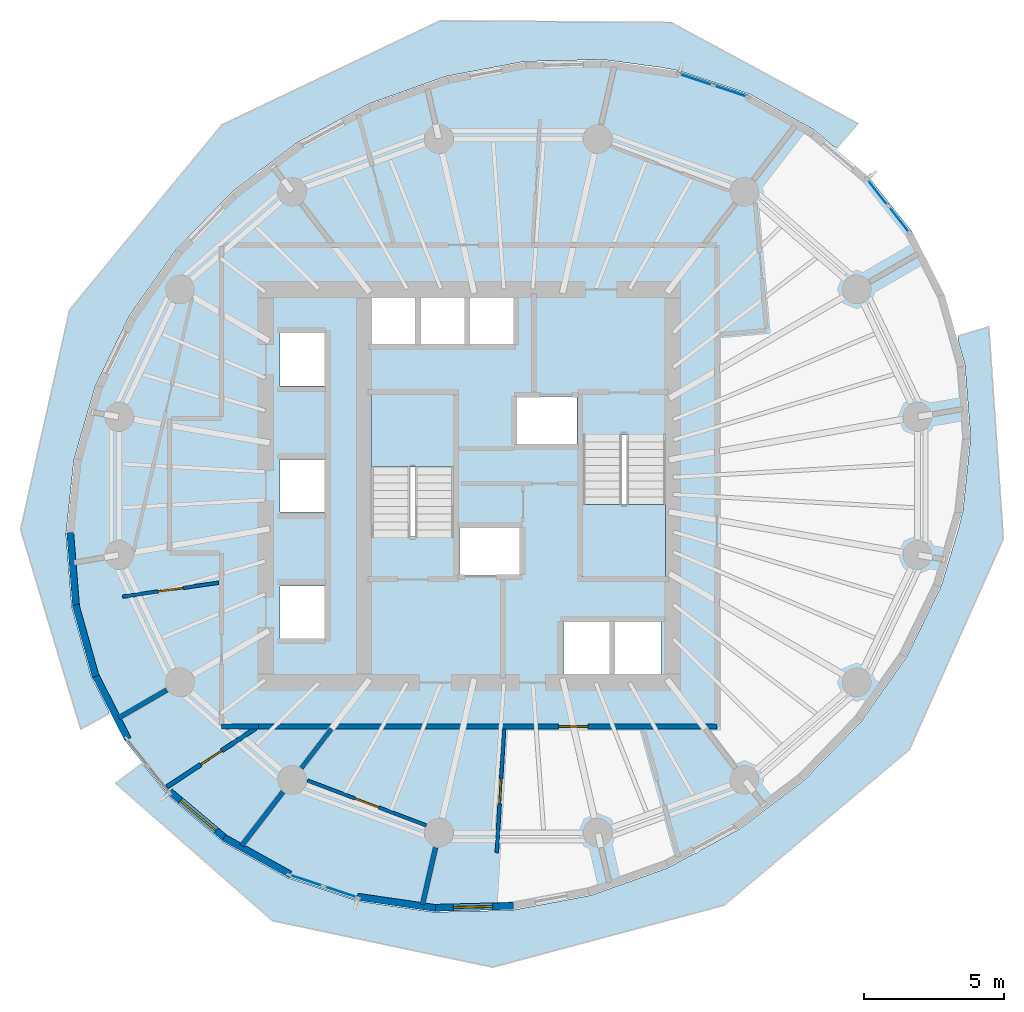
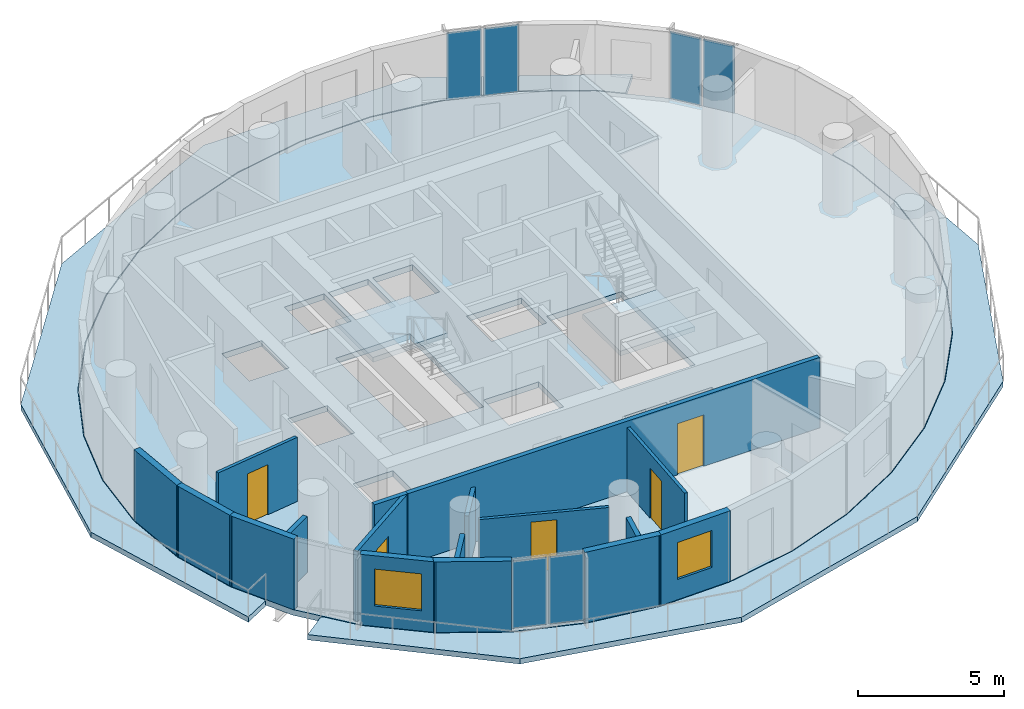
# One storey, part 4 of 12: 17 walls, 6 plates, 5 doors, 5 slabs, 2 windows, 7 openings, 5 elements without a shape of their own.
"""IFC4 building model written with IfcOpenShell, lengths in metres."""

from ifc_helpers import new_model, si_unit, direction, frame, frame_2d, origin, origin_2d, place, context, subcontext, project, spatial, polyline, rectangle, outline, extrude, material, layer, layer_set, type_object, element, fill, aggregate, save


model = new_model("IFC4")

# Units and contexts
model_context = context("Model", 3, precision=1e-05, world=origin(), true_north=direction((0.0, 1.0)))
body_context = subcontext(model_context, "Body", "Model", "MODEL_VIEW")
ifc_project = project(units=[si_unit("LENGTHUNIT", "METRE"), si_unit("AREAUNIT", "SQUARE_METRE"), si_unit("VOLUMEUNIT", "CUBIC_METRE"), si_unit("PLANEANGLEUNIT", "RADIAN"), si_unit("MASSUNIT", "GRAM", prefix="KILO")], contexts=[model_context])

# Site, building, storey
site_placement = place(None, origin())
site = spatial("IfcSite", under=ifc_project, at=site_placement, CompositionType="ELEMENT")
building_placement = place(site_placement, origin())
building = spatial("IfcBuilding", under=site, at=building_placement, Name="Veldorim Arch Residences", CompositionType="ELEMENT")
storey_placement = place(building_placement, frame((0.0, 0.0, 139.360107421875)))
storey = spatial("IfcBuildingStorey", under=building, at=storey_placement, Name="L41", CompositionType="ELEMENT", Elevation=139.360107421875)

# Slabs
ifc_material_1 = material(Name="Concrete C40/50", Category="concrete")
ifc_layer_1 = layer(ifc_material_1, 0.219970703125, Name="Planted Crescent Cantilever Balcony Slab 220")
ifc_layer_set_1 = layer_set([ifc_layer_1], Name="Concrete C40/50")
slab_type_1 = type_object("IfcSlabType", Name="Planted Crescent Cantilever Balcony Slab 220", PredefinedType="FLOOR", material=ifc_layer_set_1)
slab_1_placement = place(storey_placement, frame((0.0, 0.0, -0.22021484375)))
element("IfcSlab", 1, at=slab_1_placement, inside=storey, type_object=slab_type_1, Name="L41 planted crescent balcony slab A", PredefinedType="FLOOR", context=body_context, shape_type="SweptSolid", body=[
    extrude(outline(polyline([(43.224609375, 36.098388671875), (42.52392578125, 36.688720703125), (40.243896484375, 37.954345703125), (37.71337890625, 38.795654296875), (37.022216796875, 38.91650390625), (35.009765625, 39.1875), (32.21484375, 39.117919921875), (29.413330078125, 38.589111328125), (26.69091796875, 37.6171875), (24.12939453125, 36.231689453125), (22.8837890625, 35.289306640625), (22.747314453125, 35.2216796875), (22.661376953125, 35.12109375), (21.806884765625, 34.474609375), (19.794189453125, 32.3994140625), (18.152099609375, 30.069091796875), (16.9306640625, 27.55419921875), (16.166748046875, 24.93115234375), (15.884033203125, 22.279541015625), (16.09130859375, 19.68017578125), (16.78173828125, 17.2119140625), (17.385009765625, 16.02880859375), (17.418212890625, 15.88232421875), (16.408203125, 15.33251953125), (14.267333984375, 22.446533203125), (16.011962890625, 30.2744140625), (21.43603515625, 36.8623046875), (29.218505859375, 40.57470703125), (37.43896484375, 40.510498046875), (44.103271484375, 36.907958984375), (43.344482421875, 36.0439453125), (43.224609375, 36.098388671875)])), origin(), (0.0, 0.0, 1.0), 0.22021484375),
])
slab_2_placement = place(storey_placement, frame((0.0, 0.0, -0.22021484375)))
element("IfcSlab", 2, at=slab_2_placement, inside=storey, type_object=slab_type_1, Name="L41 planted crescent balcony slab B", PredefinedType="FLOOR", context=body_context, shape_type="SweptSolid", body=[
    extrude(outline(polyline([(18.689208984375, 14.001953125), (19.515869140625, 12.962646484375), (21.47607421875, 11.311279296875), (23.756103515625, 10.045654296875), (26.28662109375, 9.204345703125), (28.990234375, 8.8125), (31.78515625, 8.882080078125), (34.586669921875, 9.410888671875), (37.30908203125, 10.3828125), (38.25146484375, 10.892578125), (38.37890625, 10.928955078125), (38.4970703125, 11.025390625), (39.87060546875, 11.768310546875), (42.193115234375, 13.525390625), (44.205810546875, 15.6005859375), (45.847900390625, 17.930908203125), (47.0693359375, 20.44580078125), (47.656494140625, 22.3896484375), (47.833251953125, 23.06884765625), (48.115966796875, 25.720458984375), (47.90869140625, 28.31982421875), (47.662109375, 29.2021484375), (47.662109375, 29.333984375), (48.762939453125, 29.66650390625), (49.280029296875, 22.1083984375), (45.932373046875, 14.600341796875), (39.32861328125, 9.055908203125), (31.08544921875, 6.84912109375), (23.23828125, 8.505126953125), (17.65087890625, 13.4013671875), (18.569580078125, 14.0927734375), (18.689208984375, 14.001953125)])), origin(), (0.0, 0.0, 1.0), 0.22021484375),
])

# Stair, slab
ifc_material_2 = material(Name="Concrete C40/50", Category="concrete")
stair_type = type_object("IfcStairType", Name="Reinforced Concrete Dogleg Exit Staircase", PredefinedType="HALF_TURN_STAIR", material=ifc_material_2)
stair_1_placement = place(storey_placement, origin())
stair_1 = element("IfcStair", 3, at=stair_1_placement, inside=storey, type_object=stair_type, Name="L41 Exit Staircase ST-1", PredefinedType="HALF_TURN_STAIR")
ifc_material_3 = material(Name="Concrete C40/50", Category="concrete")
ifc_layer_2 = layer(ifc_material_3, 0.199951171875, Name="Reinforced Concrete Stair Landing 200")
ifc_layer_set_2 = layer_set([ifc_layer_2], Name="Concrete C40/50")
slab_type_2 = type_object("IfcSlabType", Name="Reinforced Concrete Stair Landing 200", PredefinedType="LANDING", material=ifc_layer_set_2)
slab_3_placement = place(storey_placement, frame((0.0, 0.0, 1.39990234375)))
slab_3 = element("IfcSlab", 4, at=slab_3_placement, type_object=slab_type_2, Name="ST-1 landing 1", PredefinedType="LANDING", context=body_context, shape_type="SweptSolid", body=[
    extrude(outline(polyline([(29.7099609375, 24.669921875), (29.7099609375, 27.25), (26.75, 27.25), (26.75, 24.669921875), (29.7099609375, 24.669921875)])), origin(), (0.0, 0.0, 1.0), 0.199951171875),
])
aggregate(stair_1, [slab_3])

stair_2_placement = place(storey_placement, origin())
stair_2 = element("IfcStair", 5, at=stair_2_placement, inside=storey, type_object=stair_type, Name="L41 Exit Staircase ST-2", PredefinedType="HALF_TURN_STAIR")
slab_4_placement = place(storey_placement, frame((0.0, 0.0, 1.39990234375)))
slab_4 = element("IfcSlab", 6, at=slab_4_placement, type_object=slab_type_2, Name="ST-2 landing 1", PredefinedType="LANDING", context=body_context, shape_type="SweptSolid", body=[
    extrude(outline(polyline([(34.2900390625, 23.330078125), (34.2900390625, 20.75), (37.25, 20.75), (37.25, 23.330078125), (34.2900390625, 23.330078125)])), origin(), (0.0, 0.0, 1.0), 0.199951171875),
])
aggregate(stair_2, [slab_4])

# Slab
ifc_material_4 = material(Name="Concrete C40/50", Category="concrete")
ifc_layer_3 = layer(ifc_material_4, 0.239990234375, Name="Typical Residential Floor Slab 240")
ifc_layer_set_3 = layer_set([ifc_layer_3], Name="Concrete C40/50")
slab_type_3 = type_object("IfcSlabType", Name="Typical Residential Floor Slab 240", PredefinedType="FLOOR", material=ifc_layer_set_3)
slab_5_placement = place(storey_placement, frame((0.0, 0.0, -0.239990234375)))
element("IfcSlab", 7, at=slab_5_placement, inside=storey, type_object=slab_type_3, Name="L41 tower structural floor slab", PredefinedType="FLOOR", context=body_context, shape_type="SweptSolid", body=[
    extrude(outline(polyline([(46.043701171875, 33.03662109375), (44.466064453125, 35.019775390625), (42.509521484375, 36.66796875), (40.233642578125, 37.931396484375), (37.707763671875, 38.771240234375), (35.00830078125, 39.16259765625), (32.217529296875, 39.093017578125), (29.419921875, 38.56494140625), (26.700927734375, 37.59423828125), (24.142822265625, 36.21044921875), (21.823486328125, 34.455810546875), (19.8134765625, 32.38330078125), (18.173583984375, 30.056396484375), (16.9541015625, 27.545166015625), (16.19140625, 24.92626953125), (15.9091796875, 22.279296875), (16.115966796875, 19.6845703125), (16.80517578125, 17.220947265625), (17.956298828125, 14.96337890625), (19.533935546875, 12.980224609375), (21.490478515625, 11.33203125), (23.766357421875, 10.068603515625), (26.292236328125, 9.228759765625), (28.99169921875, 8.83740234375), (31.782470703125, 8.906982421875), (34.580078125, 9.43505859375), (37.299072265625, 10.40576171875), (39.857177734375, 11.78955078125), (42.176513671875, 13.544189453125), (44.1865234375, 15.61669921875), (45.826416015625, 17.943603515625), (47.0458984375, 20.454833984375), (47.80859375, 23.07373046875), (48.0908203125, 25.720703125), (47.884033203125, 28.3154296875), (47.19482421875, 30.779052734375), (46.043701171875, 33.03662109375)]), holes=[polyline([(23.510009765625, 18.56005859375), (23.510009765625, 20.43994140625), (25.090087890625, 20.43994140625), (25.090087890625, 18.56005859375), (23.510009765625, 18.56005859375)]), polyline([(23.510009765625, 24.93994140625), (25.090087890625, 24.93994140625), (25.090087890625, 23.06005859375), (23.510009765625, 23.06005859375), (23.510009765625, 24.93994140625)]), polyline([(26.75, 27.25), (29.7099609375, 27.25), (29.7099609375, 22.195068359375), (26.75, 22.195068359375), (26.75, 27.25)]), polyline([(23.510009765625, 27.56005859375), (23.510009765625, 29.43994140625), (25.090087890625, 29.43994140625), (25.090087890625, 27.56005859375), (23.510009765625, 27.56005859375)]), polyline([(26.760009765625, 30.7900390625), (28.340087890625, 30.7900390625), (28.340087890625, 28.909912109375), (26.760009765625, 28.909912109375), (26.760009765625, 30.7900390625)]), polyline([(28.510009765625, 30.7900390625), (30.090087890625, 30.7900390625), (30.090087890625, 28.909912109375), (28.510009765625, 28.909912109375), (28.510009765625, 30.7900390625)]), polyline([(33.610107421875, 17.2099609375), (33.610107421875, 19.2900390625), (35.2900390625, 19.2900390625), (35.2900390625, 17.2099609375), (33.610107421875, 17.2099609375)]), polyline([(35.409912109375, 19.2900390625), (37.090087890625, 19.2900390625), (37.090087890625, 17.2099609375), (35.409912109375, 17.2099609375), (35.409912109375, 19.2900390625)]), polyline([(29.909912109375, 22.544921875), (32.090087890625, 22.544921875), (32.090087890625, 20.81494140625), (29.909912109375, 20.81494140625), (29.909912109375, 22.544921875)]), polyline([(34.2900390625, 20.75), (34.2900390625, 25.804931640625), (37.25, 25.804931640625), (37.25, 20.75), (34.2900390625, 20.75)]), polyline([(31.909912109375, 27.18505859375), (34.090087890625, 27.18505859375), (34.090087890625, 25.455078125), (31.909912109375, 25.455078125), (31.909912109375, 27.18505859375)]), polyline([(30.260009765625, 30.7900390625), (31.840087890625, 30.7900390625), (31.840087890625, 28.909912109375), (30.260009765625, 28.909912109375), (30.260009765625, 30.7900390625)])]), origin(), (0.0, 0.0, 1.0), 0.239990234375),
])

# Curtain wall, plates
ifc_material_5 = material(Name="Aluminium", Category="aluminium")
curtain_wall_type = type_object("IfcCurtainWallType", Name="Zone 3 High-Wind Unitised Curtain Wall", PredefinedType="NOTDEFINED", material=ifc_material_5)
curtain_wall_1_placement = place(storey_placement, origin())
curtain_wall_1 = element("IfcCurtainWall", 8, at=curtain_wall_1_placement, inside=storey, type_object=curtain_wall_type, Name="L41 unitised curtain wall bay 01", PredefinedType="NOTDEFINED")
ifc_material_6 = material(Name="Laminated Low-E Glass", Category="glass")
ifc_layer_4 = layer(ifc_material_6, 0.028076171875, Name="Zone 3 High-Wind Unitised Curtain Wall Glazing Panel 28")
ifc_layer_set_4 = layer_set([ifc_layer_4], Name="Laminated Low-E Glass")
plate_type = type_object("IfcPlateType", Name="Zone 3 High-Wind Unitised Curtain Wall Glazing Panel 28", PredefinedType="CURTAIN_PANEL", material=ifc_layer_set_4)
plate_1_placement = place(storey_placement, frame((44.801025390625, 34.454345703125, 0.06982421875), z_axis=(0.0, 0.0, 1.0), x_axis=(0.622580140716, -0.782556048079, 0.0)))
plate_1 = element("IfcPlate", 9, at=plate_1_placement, type_object=plate_type, Name="CW-Z3 panel 1.1", PredefinedType="CURTAIN_PANEL", context=body_context, shape_type="SweptSolid", body=[
    extrude(rectangle(XDim=1.162109375, YDim=0.028076171875, at=origin_2d()), origin(), (0.0, 0.0, 1.0), 2.820068359375),
])
plate_2_placement = place(storey_placement, frame((45.568115234375, 33.490234375, 0.06982421875), z_axis=(0.0, 0.0, 1.0), x_axis=(0.622580140716, -0.782556048079, 0.0)))
plate_2 = element("IfcPlate", 10, at=plate_2_placement, type_object=plate_type, Name="CW-Z3 panel 2.1", PredefinedType="CURTAIN_PANEL", context=body_context, shape_type="SweptSolid", body=[
    extrude(rectangle(XDim=1.162109375, YDim=0.028076171875, at=origin_2d()), origin(), (0.0, 0.0, 1.0), 2.820068359375),
])
aggregate(curtain_wall_1, [plate_1, plate_2])

curtain_wall_2_placement = place(storey_placement, origin())
curtain_wall_2 = element("IfcCurtainWall", 11, at=curtain_wall_2_placement, inside=storey, type_object=curtain_wall_type, Name="L41 unitised curtain wall bay 04", PredefinedType="NOTDEFINED")
plate_3_placement = place(storey_placement, frame((38.327392578125, 38.470458984375, 0.06982421875), z_axis=(0.0, 0.0, 1.0), x_axis=(0.948908451006, -0.315551503895, 0.0)))
plate_3 = element("IfcPlate", 12, at=plate_3_placement, type_object=plate_type, Name="CW-Z3 panel 1.1", PredefinedType="CURTAIN_PANEL", context=body_context, shape_type="SweptSolid", body=[
    extrude(rectangle(XDim=1.22607421875, YDim=0.028076171875, at=origin_2d()), origin(), (0.0, 0.0, 1.0), 2.820068359375),
])
plate_4_placement = place(storey_placement, frame((39.55712890625, 38.0615234375, 0.06982421875), z_axis=(0.0, 0.0, 1.0), x_axis=(0.948908451006, -0.315551503895, 0.0)))
plate_4 = element("IfcPlate", 13, at=plate_4_placement, type_object=plate_type, Name="CW-Z3 panel 2.1", PredefinedType="CURTAIN_PANEL", context=body_context, shape_type="SweptSolid", body=[
    extrude(rectangle(XDim=1.22607421875, YDim=0.028076171875, at=origin_2d()), origin(), (0.0, 0.0, 1.0), 2.820068359375),
])
aggregate(curtain_wall_2, [plate_3, plate_4])

curtain_wall_3_placement = place(storey_placement, origin())
curtain_wall_3 = element("IfcCurtainWall", 14, at=curtain_wall_3_placement, inside=storey, type_object=curtain_wall_type, Name="L41 unitised curtain wall bay 22", PredefinedType="NOTDEFINED")
plate_5_placement = place(storey_placement, frame((25.672607421875, 9.529541015625, 0.06982421875), z_axis=(0.0, 0.0, 1.0), x_axis=(-0.948908451006, 0.315551503895, 0.0)))
plate_5 = element("IfcPlate", 15, at=plate_5_placement, type_object=plate_type, Name="CW-Z3 panel 1.1", PredefinedType="CURTAIN_PANEL", context=body_context, shape_type="SweptSolid", body=[
    extrude(rectangle(XDim=1.22607421875, YDim=0.028076171875, at=origin_2d()), origin(), (0.0, 0.0, 1.0), 2.820068359375),
])
plate_6_placement = place(storey_placement, frame((24.44287109375, 9.9384765625, 0.06982421875), z_axis=(0.0, 0.0, 1.0), x_axis=(-0.948908451006, 0.315551503895, 0.0)))
plate_6 = element("IfcPlate", 16, at=plate_6_placement, type_object=plate_type, Name="CW-Z3 panel 2.1", PredefinedType="CURTAIN_PANEL", context=body_context, shape_type="SweptSolid", body=[
    extrude(rectangle(XDim=1.22607421875, YDim=0.028076171875, at=origin_2d()), origin(), (0.0, 0.0, 1.0), 2.820068359375),
])
aggregate(curtain_wall_3, [plate_5, plate_6])

# Wall, opening, door
ifc_material_7 = material(Name="Acoustic Gypsum Board", Category="gypsum")
ifc_layer_5 = layer(ifc_material_7, 0.125, Name="Acoustic Stud Room Partition Wall 125")
ifc_layer_set_5 = layer_set([ifc_layer_5], Name="Acoustic Gypsum Board")
wall_type_1 = type_object("IfcWallType", Name="Acoustic Stud Room Partition Wall 125", PredefinedType="PARTITIONING", material=ifc_layer_set_5)
wall_1_placement = place(storey_placement, frame((31.23095703125, 10.92724609375, 0.0), z_axis=(0.0, 0.0, 1.0), x_axis=(0.058751291398, 0.998272651012, 0.0)))
wall_1 = element("IfcWall", 17, at=wall_1_placement, inside=storey, type_object=wall_type_1, Name="L41 interior wall WL-RES-L41-012", PredefinedType="PARTITIONING", context=body_context, shape_type="SweptSolid", body=[
    extrude(rectangle(XDim=4.400634765625, YDim=0.125, at=frame_2d((2.2001953125, 0.0))), origin(), (0.0, 0.0, 1.0), 2.69189453125),
])
opening_1_placement = place(wall_1_placement, frame((1.750244140625, 0.0, 0.0)))
opening_1 = element("IfcOpeningElement", 18, at=opening_1_placement, cuts=wall_1, Name="Opening DR-INT", PredefinedType="OPENING", context=body_context, shape_type="SweptSolid", body=[
    extrude(rectangle(XDim=0.89990234375, YDim=2.10009765625, at=frame_2d((0.449951171875, 1.050048828125))), frame((0.0, 0.072509765625, 0.0), z_axis=(0.0, -1.0, 0.0), x_axis=(1.0, 0.0, 0.0)), (0.0, 0.0, 1.0), 0.14501953125),
])
ifc_material_8 = material(Name="Engineered Timber", Category="wood")
door_type_1 = type_object("IfcDoorType", Name="Apartment Internal Room Timber Door 900x2100", OperationType="SINGLE_SWING_LEFT", PredefinedType="DOOR", material=ifc_material_8)
door_1_placement = place(opening_1_placement, origin())
door_1 = element("IfcDoor", 19, at=door_1_placement, inside=storey, type_object=door_type_1, Name="L41 interior door DR-RES-L41-003", OperationType="SINGLE_SWING_LEFT", OverallHeight=2.10009765625, OverallWidth=0.89990234375, PredefinedType="DOOR", context=body_context, shape_type="SweptSolid", body=[
    extrude(rectangle(XDim=0.89990234375, YDim=2.10009765625, at=frame_2d((0.449951171875, 1.050048828125))), frame((0.0, 0.02490234375, 0.0), z_axis=(0.0, -1.0, 0.0), x_axis=(1.0, 0.0, 0.0)), (0.0, 0.0, 1.0), 0.050048828125),
])
fill(opening_1, door_1)

wall_2_placement = place(storey_placement, frame((28.7216796875, 11.89697265625, 0.0), z_axis=(0.0, 0.0, 1.0), x_axis=(-0.935309901838, 0.353829602385, 0.0)))
wall_2 = element("IfcWall", 20, at=wall_2_placement, inside=storey, type_object=wall_type_1, Name="L41 interior wall WL-RES-L41-014", PredefinedType="PARTITIONING", context=body_context, shape_type="SweptSolid", body=[
    extrude(rectangle(XDim=4.525634765625, YDim=0.125, at=frame_2d((2.2626953125, 0.0))), origin(), (0.0, 0.0, 1.0), 2.4111328125),
])
opening_2_placement = place(wall_2_placement, frame((1.81298828125, 0.0, 0.0)))
opening_2 = element("IfcOpeningElement", 21, at=opening_2_placement, cuts=wall_2, Name="Opening DR-INT", PredefinedType="OPENING", context=body_context, shape_type="SweptSolid", body=[
    extrude(rectangle(XDim=0.89990234375, YDim=2.10009765625, at=frame_2d((0.449951171875, 1.050048828125))), frame((0.0, 0.072509765625, 0.0), z_axis=(0.0, -1.0, 0.0), x_axis=(1.0, 0.0, 0.0)), (0.0, 0.0, 1.0), 0.14501953125),
])
door_2_placement = place(opening_2_placement, origin())
door_2 = element("IfcDoor", 22, at=door_2_placement, inside=storey, type_object=door_type_1, Name="L41 interior door DR-RES-L41-004", OperationType="SINGLE_SWING_RIGHT", OverallHeight=2.10009765625, OverallWidth=0.89990234375, PredefinedType="DOOR", context=body_context, shape_type="SweptSolid", body=[
    extrude(rectangle(XDim=0.89990234375, YDim=2.10009765625, at=frame_2d((0.449951171875, 1.050048828125))), frame((0.0, 0.02490234375, 0.0), z_axis=(0.0, -1.0, 0.0), x_axis=(1.0, 0.0, 0.0)), (0.0, 0.0, 1.0), 0.050048828125),
])
fill(opening_2, door_2)

wall_3_placement = place(storey_placement, frame((17.8994140625, 20.0517578125, 0.0), z_axis=(0.0, 0.0, 1.0), x_axis=(0.989601977359, 0.143832980941, 0.0)))
wall_3 = element("IfcWall", 23, at=wall_3_placement, inside=storey, type_object=wall_type_1, Name="L41 interior wall WL-RES-L41-024", PredefinedType="PARTITIONING", context=body_context, shape_type="SweptSolid", body=[
    extrude(rectangle(XDim=3.45751953125, YDim=0.125, at=frame_2d((1.728759765625, 0.0))), origin(), (0.0, 0.0, 1.0), 2.69189453125),
])
opening_3_placement = place(wall_3_placement, frame((1.27880859375, 0.0, 0.0)))
opening_3 = element("IfcOpeningElement", 24, at=opening_3_placement, cuts=wall_3, Name="Opening DR-INT", PredefinedType="OPENING", context=body_context, shape_type="SweptSolid", body=[
    extrude(rectangle(XDim=0.89990234375, YDim=2.10009765625, at=frame_2d((0.449951171875, 1.050048828125))), frame((0.0, 0.072509765625, 0.0), z_axis=(0.0, -1.0, 0.0), x_axis=(1.0, 0.0, 0.0)), (0.0, 0.0, 1.0), 0.14501953125),
])
door_3_placement = place(opening_3_placement, origin())
door_3 = element("IfcDoor", 25, at=door_3_placement, inside=storey, type_object=door_type_1, Name="L41 interior door DR-RES-L41-013", OperationType="SINGLE_SWING_LEFT", OverallHeight=2.10009765625, OverallWidth=0.89990234375, PredefinedType="DOOR", context=body_context, shape_type="SweptSolid", body=[
    extrude(rectangle(XDim=0.89990234375, YDim=2.10009765625, at=frame_2d((0.449951171875, 1.050048828125))), frame((0.0, 0.02490234375, 0.0), z_axis=(0.0, -1.0, 0.0), x_axis=(1.0, 0.0, 0.0)), (0.0, 0.0, 1.0), 0.050048828125),
])
fill(opening_3, door_3)

# Walls
ifc_material_9 = material(Name="Lightweight Masonry Block & Gypsum", Category="masonry")
ifc_layer_6 = layer(ifc_material_9, 0.179931640625, Name="Compartment & Corridor Fire-Rated Party Wall 180")
ifc_layer_set_6 = layer_set([ifc_layer_6], Name="Lightweight Masonry Block & Gypsum")
wall_type_2 = type_object("IfcWallType", Name="Compartment & Corridor Fire-Rated Party Wall 180", PredefinedType="PARTITIONING", material=ifc_layer_set_6)
wall_4_placement = place(storey_placement, frame((19.472412109375, 16.72607421875, 0.0), z_axis=(0.0, 0.0, 1.0), x_axis=(-0.864844369658, -0.502040054448, 0.0)))
element("IfcWall", 26, at=wall_4_placement, inside=storey, type_object=wall_type_2, Name="L41 interior wall WL-PIER-L41-10", PredefinedType="PARTITIONING", context=body_context, shape_type="SweptSolid", body=[
    extrude(rectangle(XDim=1.974365234375, YDim=0.179931640625, at=frame_2d((0.9873046875, 0.0))), origin(), (0.0, 0.0, 1.0), 2.335693359375),
])
wall_5_placement = place(storey_placement, frame((23.612060546875, 13.091552734375, 0.0), z_axis=(0.0, 0.0, 1.0), x_axis=(-0.609549509747, -0.79274800231, 0.0)))
element("IfcWall", 27, at=wall_5_placement, inside=storey, type_object=wall_type_2, Name="L41 interior wall WL-PIER-L41-11", PredefinedType="PARTITIONING", context=body_context, shape_type="SweptSolid", body=[
    extrude(rectangle(XDim=2.414794921875, YDim=0.179931640625, at=frame_2d((1.20751953125, 0.0))), origin(), (0.0, 0.0, 1.0), 2.335693359375),
])
wall_6_placement = place(storey_placement, frame((29.049560546875, 11.11083984375, 0.0), z_axis=(0.0, 0.0, 1.0), x_axis=(-0.223063251486, -0.974803973031, 0.0)))
element("IfcWall", 28, at=wall_6_placement, inside=storey, type_object=wall_type_2, Name="L41 interior wall WL-PIER-L41-12", PredefinedType="PARTITIONING", context=body_context, shape_type="SweptSolid", body=[
    extrude(rectangle(XDim=2.0849609375, YDim=0.179931640625, at=frame_2d((1.04248046875, 0.0))), origin(), (0.0, 0.0, 1.0), 2.335693359375),
])

# Wall, opening, door
wall_7_placement = place(storey_placement, frame((39.080078125, 15.419921875, 0.0), z_axis=(0.0, 0.0, 1.0), x_axis=(-1.0, 0.0, 0.0)))
wall_7 = element("IfcWall", 29, at=wall_7_placement, inside=storey, type_object=wall_type_2, Name="L41 interior wall WL-RES-L41-001", PredefinedType="PARTITIONING", context=body_context, shape_type="SweptSolid", body=[
    extrude(rectangle(XDim=16.39013671875, YDim=0.179931640625, at=frame_2d((8.195068359375, 0.0))), origin(), (0.0, 0.0, 1.0), 2.954833984375),
])
opening_4_placement = place(wall_7_placement, frame((4.5927734375, 0.0, 0.0)))
opening_4 = element("IfcOpeningElement", 30, at=opening_4_placement, cuts=wall_7, Name="Opening DR-FLT", PredefinedType="OPENING", context=body_context, shape_type="SweptSolid", body=[
    extrude(rectangle(XDim=1.050048828125, YDim=2.14990234375, at=frame_2d((0.52490234375, 1.074951171875))), frame((0.0, 0.099853515625, 0.0), z_axis=(0.0, -1.0, 0.0), x_axis=(1.0, 0.0, 0.0)), (0.0, 0.0, 1.0), 0.199951171875),
])
ifc_material_10 = material(Name="Fire-Rated Timber", Category="wood")
door_type_2 = type_object("IfcDoorType", Name="Apartment Entrance Solid-Core Fire Door 1050x2150", OperationType="SINGLE_SWING_LEFT", PredefinedType="DOOR", material=ifc_material_10)
door_4_placement = place(opening_4_placement, origin())
door_4 = element("IfcDoor", 31, at=door_4_placement, inside=storey, type_object=door_type_2, Name="L41 interior door DR-RES-L41-001", OperationType="SINGLE_SWING_LEFT", OverallHeight=2.14990234375, OverallWidth=1.050048828125, PredefinedType="DOOR", context=body_context, shape_type="SweptSolid", body=[
    extrude(rectangle(XDim=1.050048828125, YDim=2.14990234375, at=frame_2d((0.52490234375, 1.074951171875))), frame((0.0, 0.02490234375, 0.0), z_axis=(0.0, -1.0, 0.0), x_axis=(1.0, 0.0, 0.0)), (0.0, 0.0, 1.0), 0.050048828125),
])
fill(opening_4, door_4)

# Walls
wall_8_placement = place(storey_placement, frame((22.74609375, 15.419921875, 0.0), z_axis=(0.0, 0.0, 1.0), x_axis=(-1.0, 0.0, 0.0)))
element("IfcWall", 32, at=wall_8_placement, inside=storey, type_object=wall_type_2, Name="L41 interior wall WL-RES-L41-005", PredefinedType="PARTITIONING", context=body_context, shape_type="SweptSolid", body=[
    extrude(rectangle(XDim=1.326171875, YDim=0.179931640625, at=frame_2d((0.6630859375, 0.0))), origin(), (0.0, 0.0, 1.0), 2.954833984375),
])
ifc_material_11 = material(Name="Precast concrete C40/50", Category="concrete")
ifc_layer_7 = layer(ifc_material_11, 0.25, Name="Tower Terracotta Spandrel & Pier Wall 250")
ifc_layer_set_7 = layer_set([ifc_layer_7], Name="Precast concrete C40/50")
wall_type_3 = type_object("IfcWallType", Name="Tower Terracotta Spandrel & Pier Wall 250", PredefinedType="SOLIDWALL", material=ifc_layer_set_7)
wall_9_placement = place(storey_placement, frame((16.244140625, 19.649658203125, 0.0), z_axis=(0.0, 0.0, 1.0), x_axis=(-0.079420906371, 0.996841170714, 0.0)))
element("IfcWall", 33, at=wall_9_placement, inside=storey, type_object=wall_type_3, Name="L41 terracotta facade wall 16", PredefinedType="SOLIDWALL", context=body_context, shape_type="SweptSolid", body=[
    extrude(rectangle(XDim=2.69287109375, YDim=0.25, at=frame_2d((1.346435546875, 0.0))), origin(), (0.0, 0.0, 1.0), 2.9599609375),
])
wall_10_placement = place(storey_placement, frame((16.937744140625, 17.211181640625, 0.0), z_axis=(0.0, 0.0, 1.0), x_axis=(-0.269469206067, 0.963009006698, 0.0)))
element("IfcWall", 34, at=wall_10_placement, inside=storey, type_object=wall_type_3, Name="L41 terracotta facade wall 17", PredefinedType="SOLIDWALL", context=body_context, shape_type="SweptSolid", body=[
    extrude(rectangle(XDim=2.648193359375, YDim=0.25, at=frame_2d((1.32421875, 0.0))), origin(), (0.0, 0.0, 1.0), 2.9599609375),
])
wall_11_placement = place(storey_placement, frame((18.087890625, 14.97998046875, 0.0), z_axis=(0.0, 0.0, 1.0), x_axis=(-0.454196134835, 0.890901717981, 0.0)))
element("IfcWall", 35, at=wall_11_placement, inside=storey, type_object=wall_type_3, Name="L41 terracotta facade wall 18", PredefinedType="SOLIDWALL", context=body_context, shape_type="SweptSolid", body=[
    extrude(rectangle(XDim=2.624267578125, YDim=0.25, at=frame_2d((1.31201171875, 0.0))), origin(), (0.0, 0.0, 1.0), 2.9599609375),
])

# Wall, opening, window
wall_12_placement = place(storey_placement, frame((21.60546875, 11.398681640625, 0.0), z_axis=(0.0, 0.0, 1.0), x_axis=(-0.764825125467, 0.644237943197, 0.0)))
wall_12 = element("IfcWall", 36, at=wall_12_placement, inside=storey, type_object=wall_type_3, Name="L41 terracotta facade wall 20", PredefinedType="SOLIDWALL", context=body_context, shape_type="SweptSolid", body=[
    extrude(rectangle(XDim=2.648193359375, YDim=0.25, at=frame_2d((1.32421875, 0.0))), origin(), (0.0, 0.0, 1.0), 2.9599609375),
])
opening_5_placement = place(wall_12_placement, frame((0.4990234375, 0.0, 0.85009765625)))
opening_5 = element("IfcOpeningElement", 37, at=opening_5_placement, cuts=wall_12, Name="Opening WN-03", PredefinedType="OPENING", context=body_context, shape_type="SweptSolid", body=[
    extrude(rectangle(XDim=1.64990234375, YDim=1.550048828125, at=frame_2d((0.824951171875, 0.77490234375))), frame((0.0, 0.135009765625, 0.0), z_axis=(0.0, -1.0, 0.0), x_axis=(1.0, 0.0, 0.0)), (0.0, 0.0, 1.0), 0.27001953125),
])
ifc_material_12 = material(Name="Laminated Low-E Glass", Category="glass")
window_type_1 = type_object("IfcWindowType", Name="Residential Wide Window 1650x1550", PartitioningType="SINGLE_PANEL", PredefinedType="WINDOW", material=ifc_material_12)
window_1_placement = place(opening_5_placement, origin())
window_1 = element("IfcWindow", 38, at=window_1_placement, inside=storey, type_object=window_type_1, Name="L41 solar-control facade window 20", OverallHeight=1.550048828125, OverallWidth=1.64990234375, PartitioningType="SINGLE_PANEL", PredefinedType="WINDOW", context=body_context, shape_type="SweptSolid", body=[
    extrude(rectangle(XDim=1.64990234375, YDim=1.550048828125, at=frame_2d((0.824951171875, 0.77490234375))), frame((0.0, 0.030029296875, 0.0), z_axis=(0.0, -1.0, 0.0), x_axis=(1.0, 0.0, 0.0)), (0.0, 0.0, 1.0), 0.06005859375),
])
fill(opening_5, window_1)

# Walls
wall_13_placement = place(storey_placement, frame((23.8662109375, 10.15625, 0.0), z_axis=(0.0, 0.0, 1.0), x_axis=(-0.874341102682, 0.485311895755, 0.0)))
element("IfcWall", 39, at=wall_13_placement, inside=storey, type_object=wall_type_3, Name="L41 terracotta facade wall 21", PredefinedType="SOLIDWALL", context=body_context, shape_type="SweptSolid", body=[
    extrude(rectangle(XDim=2.69287109375, YDim=0.25, at=frame_2d((1.346435546875, 0.0))), origin(), (0.0, 0.0, 1.0), 2.9599609375),
])
wall_14_placement = place(storey_placement, frame((29.05419921875, 8.954833984375, 0.0), z_axis=(0.0, 0.0, 1.0), x_axis=(-0.98966505468, 0.143398324768, 0.0)))
element("IfcWall", 40, at=wall_14_placement, inside=storey, type_object=wall_type_3, Name="L41 terracotta facade wall 23", PredefinedType="SOLIDWALL", context=body_context, shape_type="SweptSolid", body=[
    extrude(rectangle(XDim=2.817626953125, YDim=0.25, at=frame_2d((1.40869140625, 0.0))), origin(), (0.0, 0.0, 1.0), 2.9599609375),
])

# Wall, opening, window
wall_15_placement = place(storey_placement, frame((31.824462890625, 9.033203125, 0.0), z_axis=(0.0, 0.0, 1.0), x_axis=(-0.999687646408, -0.02499219116, 0.0)))
wall_15 = element("IfcWall", 41, at=wall_15_placement, inside=storey, type_object=wall_type_3, Name="L41 terracotta facade wall 24", PredefinedType="SOLIDWALL", context=body_context, shape_type="SweptSolid", body=[
    extrude(rectangle(XDim=2.8818359375, YDim=0.25, at=frame_2d((1.44091796875, 0.0))), origin(), (0.0, 0.0, 1.0), 2.9599609375),
])
opening_6_placement = place(wall_15_placement, frame((0.740966796875, 0.0, 0.85009765625)))
opening_6 = element("IfcOpeningElement", 42, at=opening_6_placement, cuts=wall_15, Name="Opening WN-02", PredefinedType="OPENING", context=body_context, shape_type="SweptSolid", body=[
    extrude(rectangle(XDim=1.39990234375, YDim=1.550048828125, at=frame_2d((0.699951171875, 0.77490234375))), frame((0.0, 0.135009765625, 0.0), z_axis=(0.0, -1.0, 0.0), x_axis=(1.0, 0.0, 0.0)), (0.0, 0.0, 1.0), 0.27001953125),
])
ifc_material_13 = material(Name="Laminated Low-E Glass", Category="glass")
window_type_2 = type_object("IfcWindowType", Name="Residential Casement Window 1400x1550", PartitioningType="SINGLE_PANEL", PredefinedType="WINDOW", material=ifc_material_13)
window_2_placement = place(opening_6_placement, origin())
window_2 = element("IfcWindow", 43, at=window_2_placement, inside=storey, type_object=window_type_2, Name="L41 solar-control facade window 24", OverallHeight=1.550048828125, OverallWidth=1.39990234375, PartitioningType="SINGLE_PANEL", PredefinedType="WINDOW", context=body_context, shape_type="SweptSolid", body=[
    extrude(rectangle(XDim=1.39990234375, YDim=1.550048828125, at=frame_2d((0.699951171875, 0.77490234375))), frame((0.0, 0.030029296875, 0.0), z_axis=(0.0, -1.0, 0.0), x_axis=(1.0, 0.0, 0.0)), (0.0, 0.0, 1.0), 0.06005859375),
])
fill(opening_6, window_2)

# Wall
ifc_material_14 = material(Name="Moisture-Resistant Gypsum & Stud", Category="gypsum")
ifc_layer_8 = layer(ifc_material_14, 0.159912109375, Name="Wet-Area Moisture-Resistant Plumbing Wall 160")
ifc_layer_set_8 = layer_set([ifc_layer_8], Name="Moisture-Resistant Gypsum & Stud")
wall_type_4 = type_object("IfcWallType", Name="Wet-Area Moisture-Resistant Plumbing Wall 160", PredefinedType="PLUMBINGWALL", material=ifc_layer_set_8)
wall_16_placement = place(storey_placement, frame((24.267822265625, 13.9443359375, 0.0), z_axis=(0.0, 0.0, 1.0), x_axis=(0.609536601946, 0.792757927042, 0.0)))
element("IfcWall", 44, at=wall_16_placement, inside=storey, type_object=wall_type_4, Name="L41 interior wall WL-RES-L41-015", PredefinedType="PLUMBINGWALL", context=body_context, shape_type="SweptSolid", body=[
    extrude(rectangle(XDim=1.761474609375, YDim=0.159912109375, at=frame_2d((0.880859375, 0.0))), origin(), (0.0, 0.0, 1.0), 2.335693359375),
])

# Wall, opening, door
wall_17_placement = place(storey_placement, frame((22.642822265625, 15.36474609375, 0.0), z_axis=(0.0, 0.0, 1.0), x_axis=(-0.83413433024, -0.551561346647, 0.0)))
wall_17 = element("IfcWall", 45, at=wall_17_placement, inside=storey, type_object=wall_type_4, Name="L41 interior wall WL-RES-L41-023", PredefinedType="PLUMBINGWALL", context=body_context, shape_type="SweptSolid", body=[
    extrude(rectangle(XDim=3.7919921875, YDim=0.159912109375, at=frame_2d((1.89599609375, 0.0))), origin(), (0.0, 0.0, 1.0), 2.954833984375),
])
opening_7_placement = place(wall_17_placement, frame((1.446044921875, 0.0, 0.0)))
opening_7 = element("IfcOpeningElement", 46, at=opening_7_placement, cuts=wall_17, Name="Opening DR-WC", PredefinedType="OPENING", context=body_context, shape_type="SweptSolid", body=[
    extrude(rectangle(XDim=0.89990234375, YDim=2.10009765625, at=frame_2d((0.449951171875, 1.050048828125))), frame((0.0, 0.08984375, 0.0), z_axis=(0.0, -1.0, 0.0), x_axis=(1.0, 0.0, 0.0)), (0.0, 0.0, 1.0), 0.179931640625),
])
ifc_material_15 = material(Name="Laminate Timber", Category="wood")
door_type_3 = type_object("IfcDoorType", Name="Bathroom & Accessible WC Moisture-Sealed Door 900x2100", OperationType="SINGLE_SWING_LEFT", PredefinedType="DOOR", material=ifc_material_15)
door_5_placement = place(opening_7_placement, origin())
door_5 = element("IfcDoor", 47, at=door_5_placement, inside=storey, type_object=door_type_3, Name="L41 interior door DR-RES-L41-012", OperationType="SINGLE_SWING_RIGHT", OverallHeight=2.10009765625, OverallWidth=0.89990234375, PredefinedType="DOOR", context=body_context, shape_type="SweptSolid", body=[
    extrude(rectangle(XDim=0.89990234375, YDim=2.10009765625, at=frame_2d((0.449951171875, 1.050048828125))), frame((0.0, 0.02490234375, 0.0), z_axis=(0.0, -1.0, 0.0), x_axis=(1.0, 0.0, 0.0)), (0.0, 0.0, 1.0), 0.050048828125),
])
fill(opening_7, door_5)

save(model, "model.ifc")
